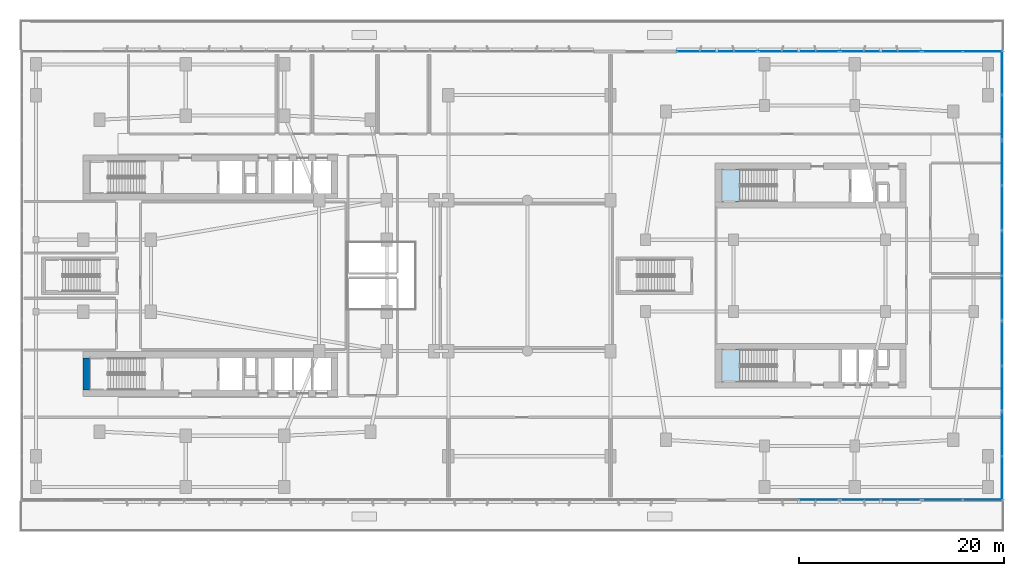
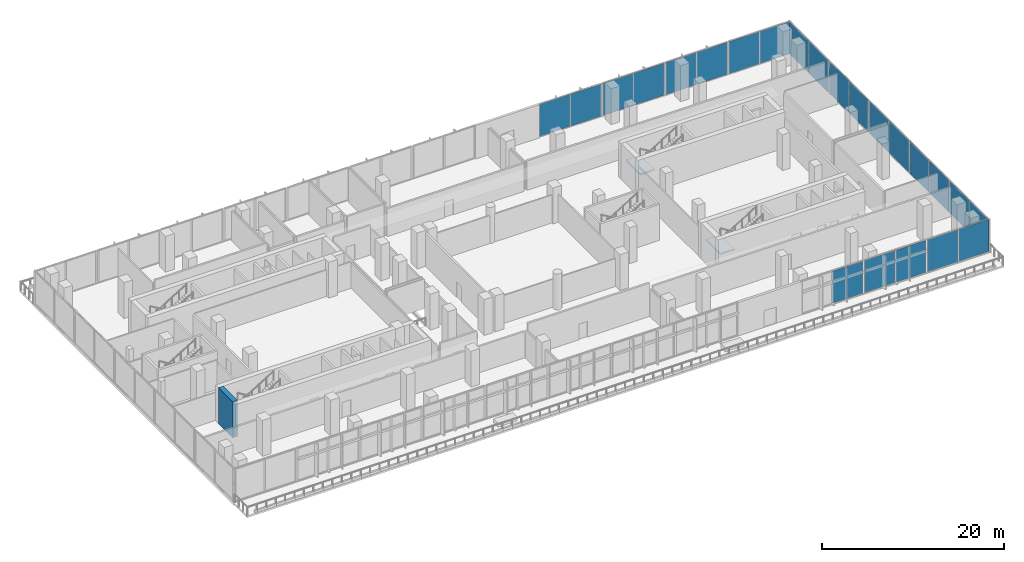
# One storey, part 10 of 30: 23 plates, 2 slabs, 1 wall, 14 elements without a shape of their own.
"""IFC4 building model written with IfcOpenShell, lengths in metres."""

from ifc_helpers import new_model, si_unit, derived_unit, direction, frame, frame_2d, origin, origin_2d, place, context, subcontext, project, spatial, polyline, rectangle, outline, extrude, material, layer, layer_set, type_object, element, aggregate, save


model = new_model("IFC4")

# Units and contexts
model_context = context("Model", 3, precision=1e-05, world=origin(), true_north=direction((0.0, 1.0)))
body_context = subcontext(model_context, "Body", "Model", "MODEL_VIEW")
ifc_project = project(units=[si_unit("LENGTHUNIT", "METRE"), si_unit("AREAUNIT", "SQUARE_METRE"), si_unit("VOLUMEUNIT", "CUBIC_METRE"), si_unit("PLANEANGLEUNIT", "RADIAN"), si_unit("MASSUNIT", "GRAM", prefix="KILO"), derived_unit("THERMALTRANSMITTANCEUNIT", [(si_unit("POWERUNIT", "WATT"), 1), (si_unit("LENGTHUNIT", "METRE"), -2), (si_unit("THERMODYNAMICTEMPERATUREUNIT", "KELVIN"), -1)])], contexts=[model_context])

# Site, building, storey
site_placement = place(None, origin())
site = spatial("IfcSite", under=ifc_project, at=site_placement, CompositionType="ELEMENT")
building_placement = place(site_placement, origin())
building = spatial("IfcBuilding", under=site, at=building_placement, Name="Kivonza Crest Hotel", CompositionType="ELEMENT")
storey_placement = place(building_placement, frame((0.0, 0.0, 10.199951171875)))
storey = spatial("IfcBuildingStorey", under=building, at=storey_placement, Name="L02", CompositionType="ELEMENT", Elevation=10.199951171875)

# Curtain wall, plate
ifc_material_1 = material(Name="Anodised bronze aluminium and low-E double glazing", Category="aluminium")
ifc_layer_1 = layer(ifc_material_1, 0.219970703125)
ifc_layer_set_1 = layer_set([ifc_layer_1], Name="Anodised bronze aluminium and low-E double glazing")
curtain_wall_type = type_object("IfcCurtainWallType", Name="CW-SYS-1", PredefinedType="NOTDEFINED", material=ifc_layer_set_1)
curtain_wall_1_placement = place(storey_placement, origin())
curtain_wall_1 = element("IfcCurtainWall", 1, at=curtain_wall_1_placement, inside=storey, type_object=curtain_wall_type, Name="L02 unitised curtain wall CW-POD-L02-10", PredefinedType="NOTDEFINED")
ifc_material_2 = material(Name="Acoustic triple-laminated low-E glazing", Category="glass")
ifc_layer_2 = layer(ifc_material_2, 0.035888671875)
ifc_layer_set_2 = layer_set([ifc_layer_2], Name="Acoustic triple-laminated low-E glazing")
plate_type = type_object("IfcPlateType", Name="CW-PNL-36", PredefinedType="CURTAIN_PANEL", material=ifc_layer_set_2)
plate_1_placement = place(storey_placement, frame((77.91162109375, 3.159912109375, 0.0751953125), z_axis=(0.0, 0.0, 1.0), x_axis=(1.0, 0.0, 0.0)))
plate_1 = element("IfcPlate", 2, at=plate_1_placement, type_object=plate_type, Name="CW-1 panel 2.1", PredefinedType="CURTAIN_PANEL", context=body_context, shape_type="SweptSolid", body=[
    extrude(rectangle(XDim=3.841064453125, YDim=0.035888671875, at=origin_2d()), origin(), (0.0, 0.0, 1.0), 4.300048828125),
])
aggregate(curtain_wall_1, [plate_1])

# Curtain wall, plates
curtain_wall_2_placement = place(storey_placement, origin())
curtain_wall_2 = element("IfcCurtainWall", 3, at=curtain_wall_2_placement, inside=storey, type_object=curtain_wall_type, Name="L02 unitised curtain wall CW-POD-L02-11", PredefinedType="NOTDEFINED")
plate_2_placement = place(storey_placement, frame((81.982177734375, 3.159912109375, 0.0751953125), z_axis=(0.0, 0.0, 1.0), x_axis=(1.0, 0.0, 0.0)))
plate_2 = element("IfcPlate", 4, at=plate_2_placement, type_object=plate_type, Name="CW-1 panel 1.1", PredefinedType="CURTAIN_PANEL", context=body_context, shape_type="SweptSolid", body=[
    extrude(rectangle(XDim=3.840576171875, YDim=0.035888671875, at=origin_2d()), origin(), (0.0, 0.0, 1.0), 4.300048828125),
])
plate_3_placement = place(storey_placement, frame((85.897705078125, 3.159912109375, 0.0751953125), z_axis=(0.0, 0.0, 1.0), x_axis=(1.0, 0.0, 0.0)))
plate_3 = element("IfcPlate", 5, at=plate_3_placement, type_object=plate_type, Name="CW-1 panel 2.1", PredefinedType="CURTAIN_PANEL", context=body_context, shape_type="SweptSolid", body=[
    extrude(rectangle(XDim=3.840576171875, YDim=0.035888671875, at=origin_2d()), origin(), (0.0, 0.0, 1.0), 4.300048828125),
])
aggregate(curtain_wall_2, [plate_2, plate_3])

curtain_wall_3_placement = place(storey_placement, origin())
curtain_wall_3 = element("IfcCurtainWall", 6, at=curtain_wall_3_placement, inside=storey, type_object=curtain_wall_type, Name="L02 unitised curtain wall CW-POD-L02-12", PredefinedType="NOTDEFINED")
plate_4_placement = place(storey_placement, frame((89.968505859375, 3.159912109375, 0.0751953125), z_axis=(0.0, 0.0, 1.0), x_axis=(1.0, 0.0, 0.0)))
plate_4 = element("IfcPlate", 7, at=plate_4_placement, type_object=plate_type, Name="CW-1 panel 1.1", PredefinedType="CURTAIN_PANEL", context=body_context, shape_type="SweptSolid", body=[
    extrude(rectangle(XDim=3.841064453125, YDim=0.035888671875, at=origin_2d()), origin(), (0.0, 0.0, 1.0), 4.300048828125),
])
plate_5_placement = place(storey_placement, frame((93.884521484375, 3.159912109375, 0.0751953125), z_axis=(0.0, 0.0, 1.0), x_axis=(1.0, 0.0, 0.0)))
plate_5 = element("IfcPlate", 8, at=plate_5_placement, type_object=plate_type, Name="CW-1 panel 2.1", PredefinedType="CURTAIN_PANEL", context=body_context, shape_type="SweptSolid", body=[
    extrude(rectangle(XDim=3.841064453125, YDim=0.035888671875, at=origin_2d()), origin(), (0.0, 0.0, 1.0), 4.300048828125),
])
aggregate(curtain_wall_3, [plate_4, plate_5])

curtain_wall_4_placement = place(storey_placement, origin())
curtain_wall_4 = element("IfcCurtainWall", 9, at=curtain_wall_4_placement, inside=storey, type_object=curtain_wall_type, Name="L02 unitised curtain wall CW-POD-L02-13", PredefinedType="NOTDEFINED")
plate_6_placement = place(storey_placement, frame((95.760009765625, 5.23876953125, 0.0751953125), z_axis=(0.0, 0.0, 1.0), x_axis=(0.0, 1.0, 0.0)))
plate_6 = element("IfcPlate", 10, at=plate_6_placement, type_object=plate_type, Name="CW-1 panel 1.1", PredefinedType="CURTAIN_PANEL", context=body_context, shape_type="SweptSolid", body=[
    extrude(rectangle(XDim=4.24755859375, YDim=0.035888671875, at=origin_2d()), origin(), (0.0, 0.0, 1.0), 4.300048828125),
])
plate_7_placement = place(storey_placement, frame((95.760009765625, 9.561279296875, 0.0751953125), z_axis=(0.0, 0.0, 1.0), x_axis=(0.0, 1.0, 0.0)))
plate_7 = element("IfcPlate", 11, at=plate_7_placement, type_object=plate_type, Name="CW-1 panel 2.1", PredefinedType="CURTAIN_PANEL", context=body_context, shape_type="SweptSolid", body=[
    extrude(rectangle(XDim=4.24755859375, YDim=0.035888671875, at=origin_2d()), origin(), (0.0, 0.0, 1.0), 4.300048828125),
])
aggregate(curtain_wall_4, [plate_6, plate_7])

curtain_wall_5_placement = place(storey_placement, origin())
curtain_wall_5 = element("IfcCurtainWall", 12, at=curtain_wall_5_placement, inside=storey, type_object=curtain_wall_type, Name="L02 unitised curtain wall CW-POD-L02-14", PredefinedType="NOTDEFINED")
plate_8_placement = place(storey_placement, frame((95.760009765625, 14.038818359375, 0.0751953125), z_axis=(0.0, 0.0, 1.0), x_axis=(0.0, 1.0, 0.0)))
plate_8 = element("IfcPlate", 13, at=plate_8_placement, type_object=plate_type, Name="CW-1 panel 1.1", PredefinedType="CURTAIN_PANEL", context=body_context, shape_type="SweptSolid", body=[
    extrude(rectangle(XDim=4.24755859375, YDim=0.035888671875, at=origin_2d()), origin(), (0.0, 0.0, 1.0), 4.300048828125),
])
plate_9_placement = place(storey_placement, frame((95.760009765625, 18.361328125, 0.0751953125), z_axis=(0.0, 0.0, 1.0), x_axis=(0.0, 1.0, 0.0)))
plate_9 = element("IfcPlate", 14, at=plate_9_placement, type_object=plate_type, Name="CW-1 panel 2.1", PredefinedType="CURTAIN_PANEL", context=body_context, shape_type="SweptSolid", body=[
    extrude(rectangle(XDim=4.24755859375, YDim=0.035888671875, at=origin_2d()), origin(), (0.0, 0.0, 1.0), 4.300048828125),
])
aggregate(curtain_wall_5, [plate_8, plate_9])

curtain_wall_6_placement = place(storey_placement, origin())
curtain_wall_6 = element("IfcCurtainWall", 15, at=curtain_wall_6_placement, inside=storey, type_object=curtain_wall_type, Name="L02 unitised curtain wall CW-POD-L02-15", PredefinedType="NOTDEFINED")
plate_10_placement = place(storey_placement, frame((95.760009765625, 22.8388671875, 0.0751953125), z_axis=(0.0, 0.0, 1.0), x_axis=(0.0, 1.0, 0.0)))
plate_10 = element("IfcPlate", 16, at=plate_10_placement, type_object=plate_type, Name="CW-1 panel 1.1", PredefinedType="CURTAIN_PANEL", context=body_context, shape_type="SweptSolid", body=[
    extrude(rectangle(XDim=4.24755859375, YDim=0.035888671875, at=origin_2d()), origin(), (0.0, 0.0, 1.0), 4.300048828125),
])
plate_11_placement = place(storey_placement, frame((95.760009765625, 27.1611328125, 0.0751953125), z_axis=(0.0, 0.0, 1.0), x_axis=(0.0, 1.0, 0.0)))
plate_11 = element("IfcPlate", 17, at=plate_11_placement, type_object=plate_type, Name="CW-1 panel 2.1", PredefinedType="CURTAIN_PANEL", context=body_context, shape_type="SweptSolid", body=[
    extrude(rectangle(XDim=4.24755859375, YDim=0.035888671875, at=origin_2d()), origin(), (0.0, 0.0, 1.0), 4.300048828125),
])
aggregate(curtain_wall_6, [plate_10, plate_11])

curtain_wall_7_placement = place(storey_placement, origin())
curtain_wall_7 = element("IfcCurtainWall", 18, at=curtain_wall_7_placement, inside=storey, type_object=curtain_wall_type, Name="L02 unitised curtain wall CW-POD-L02-16", PredefinedType="NOTDEFINED")
plate_12_placement = place(storey_placement, frame((95.760009765625, 31.638671875, 0.0751953125), z_axis=(0.0, 0.0, 1.0), x_axis=(0.0, 1.0, 0.0)))
plate_12 = element("IfcPlate", 19, at=plate_12_placement, type_object=plate_type, Name="CW-1 panel 1.1", PredefinedType="CURTAIN_PANEL", context=body_context, shape_type="SweptSolid", body=[
    extrude(rectangle(XDim=4.24755859375, YDim=0.035888671875, at=origin_2d()), origin(), (0.0, 0.0, 1.0), 4.300048828125),
])
plate_13_placement = place(storey_placement, frame((95.760009765625, 35.961181640625, 0.0751953125), z_axis=(0.0, 0.0, 1.0), x_axis=(0.0, 1.0, 0.0)))
plate_13 = element("IfcPlate", 20, at=plate_13_placement, type_object=plate_type, Name="CW-1 panel 2.1", PredefinedType="CURTAIN_PANEL", context=body_context, shape_type="SweptSolid", body=[
    extrude(rectangle(XDim=4.24755859375, YDim=0.035888671875, at=origin_2d()), origin(), (0.0, 0.0, 1.0), 4.300048828125),
])
aggregate(curtain_wall_7, [plate_12, plate_13])

curtain_wall_8_placement = place(storey_placement, origin())
curtain_wall_8 = element("IfcCurtainWall", 21, at=curtain_wall_8_placement, inside=storey, type_object=curtain_wall_type, Name="L02 unitised curtain wall CW-POD-L02-17", PredefinedType="NOTDEFINED")
plate_14_placement = place(storey_placement, frame((95.760009765625, 40.438720703125, 0.0751953125), z_axis=(0.0, 0.0, 1.0), x_axis=(0.0, 1.0, 0.0)))
plate_14 = element("IfcPlate", 22, at=plate_14_placement, type_object=plate_type, Name="CW-1 panel 1.1", PredefinedType="CURTAIN_PANEL", context=body_context, shape_type="SweptSolid", body=[
    extrude(rectangle(XDim=4.24755859375, YDim=0.035888671875, at=origin_2d()), origin(), (0.0, 0.0, 1.0), 4.300048828125),
])
plate_15_placement = place(storey_placement, frame((95.760009765625, 44.76123046875, 0.0751953125), z_axis=(0.0, 0.0, 1.0), x_axis=(0.0, 1.0, 0.0)))
plate_15 = element("IfcPlate", 23, at=plate_15_placement, type_object=plate_type, Name="CW-1 panel 2.1", PredefinedType="CURTAIN_PANEL", context=body_context, shape_type="SweptSolid", body=[
    extrude(rectangle(XDim=4.24755859375, YDim=0.035888671875, at=origin_2d()), origin(), (0.0, 0.0, 1.0), 4.300048828125),
])
aggregate(curtain_wall_8, [plate_14, plate_15])

curtain_wall_9_placement = place(storey_placement, origin())
curtain_wall_9 = element("IfcCurtainWall", 24, at=curtain_wall_9_placement, inside=storey, type_object=curtain_wall_type, Name="L02 unitised curtain wall CW-POD-L02-18", PredefinedType="NOTDEFINED")
plate_16_placement = place(storey_placement, frame((93.884521484375, 46.840087890625, 0.0751953125), z_axis=(0.0, 0.0, 1.0), x_axis=(-1.0, 0.0, 0.0)))
plate_16 = element("IfcPlate", 25, at=plate_16_placement, type_object=plate_type, Name="CW-1 panel 1.1", PredefinedType="CURTAIN_PANEL", context=body_context, shape_type="SweptSolid", body=[
    extrude(rectangle(XDim=3.841064453125, YDim=0.035888671875, at=origin_2d()), origin(), (0.0, 0.0, 1.0), 4.300048828125),
])
plate_17_placement = place(storey_placement, frame((89.968505859375, 46.840087890625, 0.0751953125), z_axis=(0.0, 0.0, 1.0), x_axis=(-1.0, 0.0, 0.0)))
plate_17 = element("IfcPlate", 26, at=plate_17_placement, type_object=plate_type, Name="CW-1 panel 2.1", PredefinedType="CURTAIN_PANEL", context=body_context, shape_type="SweptSolid", body=[
    extrude(rectangle(XDim=3.841064453125, YDim=0.035888671875, at=origin_2d()), origin(), (0.0, 0.0, 1.0), 4.300048828125),
])
aggregate(curtain_wall_9, [plate_16, plate_17])

curtain_wall_10_placement = place(storey_placement, origin())
curtain_wall_10 = element("IfcCurtainWall", 27, at=curtain_wall_10_placement, inside=storey, type_object=curtain_wall_type, Name="L02 unitised curtain wall CW-POD-L02-19", PredefinedType="NOTDEFINED")
plate_18_placement = place(storey_placement, frame((85.897705078125, 46.840087890625, 0.0751953125), z_axis=(0.0, 0.0, 1.0), x_axis=(-1.0, 0.0, 0.0)))
plate_18 = element("IfcPlate", 28, at=plate_18_placement, type_object=plate_type, Name="CW-1 panel 1.1", PredefinedType="CURTAIN_PANEL", context=body_context, shape_type="SweptSolid", body=[
    extrude(rectangle(XDim=3.840576171875, YDim=0.035888671875, at=origin_2d()), origin(), (0.0, 0.0, 1.0), 4.300048828125),
])
plate_19_placement = place(storey_placement, frame((81.982177734375, 46.840087890625, 0.0751953125), z_axis=(0.0, 0.0, 1.0), x_axis=(-1.0, 0.0, 0.0)))
plate_19 = element("IfcPlate", 29, at=plate_19_placement, type_object=plate_type, Name="CW-1 panel 2.1", PredefinedType="CURTAIN_PANEL", context=body_context, shape_type="SweptSolid", body=[
    extrude(rectangle(XDim=3.840576171875, YDim=0.035888671875, at=origin_2d()), origin(), (0.0, 0.0, 1.0), 4.300048828125),
])
aggregate(curtain_wall_10, [plate_18, plate_19])

curtain_wall_11_placement = place(storey_placement, origin())
curtain_wall_11 = element("IfcCurtainWall", 30, at=curtain_wall_11_placement, inside=storey, type_object=curtain_wall_type, Name="L02 unitised curtain wall CW-POD-L02-20", PredefinedType="NOTDEFINED")
plate_20_placement = place(storey_placement, frame((77.91162109375, 46.840087890625, 0.0751953125), z_axis=(0.0, 0.0, 1.0), x_axis=(-1.0, 0.0, 0.0)))
plate_20 = element("IfcPlate", 31, at=plate_20_placement, type_object=plate_type, Name="CW-1 panel 1.1", PredefinedType="CURTAIN_PANEL", context=body_context, shape_type="SweptSolid", body=[
    extrude(rectangle(XDim=3.841064453125, YDim=0.035888671875, at=origin_2d()), origin(), (0.0, 0.0, 1.0), 4.300048828125),
])
plate_21_placement = place(storey_placement, frame((73.99560546875, 46.840087890625, 0.0751953125), z_axis=(0.0, 0.0, 1.0), x_axis=(-1.0, 0.0, 0.0)))
plate_21 = element("IfcPlate", 32, at=plate_21_placement, type_object=plate_type, Name="CW-1 panel 2.1", PredefinedType="CURTAIN_PANEL", context=body_context, shape_type="SweptSolid", body=[
    extrude(rectangle(XDim=3.841064453125, YDim=0.035888671875, at=origin_2d()), origin(), (0.0, 0.0, 1.0), 4.300048828125),
])
aggregate(curtain_wall_11, [plate_20, plate_21])

curtain_wall_12_placement = place(storey_placement, origin())
curtain_wall_12 = element("IfcCurtainWall", 33, at=curtain_wall_12_placement, inside=storey, type_object=curtain_wall_type, Name="L02 unitised curtain wall CW-POD-L02-21", PredefinedType="NOTDEFINED")
plate_22_placement = place(storey_placement, frame((69.924560546875, 46.840087890625, 0.0751953125), z_axis=(0.0, 0.0, 1.0), x_axis=(-1.0, 0.0, 0.0)))
plate_22 = element("IfcPlate", 34, at=plate_22_placement, type_object=plate_type, Name="CW-1 panel 1.1", PredefinedType="CURTAIN_PANEL", context=body_context, shape_type="SweptSolid", body=[
    extrude(rectangle(XDim=3.841064453125, YDim=0.035888671875, at=origin_2d()), origin(), (0.0, 0.0, 1.0), 4.300048828125),
])
plate_23_placement = place(storey_placement, frame((66.008544921875, 46.840087890625, 0.0751953125), z_axis=(0.0, 0.0, 1.0), x_axis=(-1.0, 0.0, 0.0)))
plate_23 = element("IfcPlate", 35, at=plate_23_placement, type_object=plate_type, Name="CW-1 panel 2.1", PredefinedType="CURTAIN_PANEL", context=body_context, shape_type="SweptSolid", body=[
    extrude(rectangle(XDim=3.841064453125, YDim=0.035888671875, at=origin_2d()), origin(), (0.0, 0.0, 1.0), 4.300048828125),
])
aggregate(curtain_wall_12, [plate_22, plate_23])

# Stair, slab
ifc_material_3 = material(Name="Concrete C40/50", Category="concrete")
stair_type = type_object("IfcStairType", Name="ST-DL-28R", PredefinedType="HALF_TURN_STAIR", material=ifc_material_3)
stair_1_placement = place(storey_placement, origin())
stair_1 = element("IfcStair", 36, at=stair_1_placement, inside=storey, type_object=stair_type, Name="L02 Protected Exit Stair ST-T2-N", PredefinedType="HALF_TURN_STAIR")
ifc_layer_3 = layer(ifc_material_3, 0.199951171875)
ifc_layer_set_3 = layer_set([ifc_layer_3], Name="Concrete C40/50")
slab_type = type_object("IfcSlabType", Name="SL-LAND-200", PredefinedType="LANDING", material=ifc_layer_set_3)
slab_1_placement = place(storey_placement, frame((0.0, 0.0, 2.199951171875)))
slab_1 = element("IfcSlab", 37, at=slab_1_placement, type_object=slab_type, Name="ST-T2-N landing 1", PredefinedType="LANDING", context=body_context, shape_type="SweptSolid", body=[
    extrude(outline(polyline([(70.199951171875, 35.360107421875), (68.39990234375, 35.360107421875), (68.39990234375, 32.219970703125), (70.199951171875, 32.219970703125), (70.199951171875, 35.360107421875)])), origin(), (0.0, 0.0, 1.0), 0.2001953125),
])
aggregate(stair_1, [slab_1])

stair_2_placement = place(storey_placement, origin())
stair_2 = element("IfcStair", 38, at=stair_2_placement, inside=storey, type_object=stair_type, Name="L02 Protected Exit Stair ST-T2-S", PredefinedType="HALF_TURN_STAIR")
slab_2_placement = place(storey_placement, frame((0.0, 0.0, 2.199951171875)))
slab_2 = element("IfcSlab", 39, at=slab_2_placement, type_object=slab_type, Name="ST-T2-S landing 1", PredefinedType="LANDING", context=body_context, shape_type="SweptSolid", body=[
    extrude(outline(polyline([(70.199951171875, 17.800048828125), (68.39990234375, 17.800048828125), (68.39990234375, 14.659912109375), (70.199951171875, 14.659912109375), (70.199951171875, 17.800048828125)])), origin(), (0.0, 0.0, 1.0), 0.2001953125),
])
aggregate(stair_2, [slab_2])

# Wall
ifc_material_4 = material(Name="Concrete C60/75", Category="concrete")
ifc_layer_4 = layer(ifc_material_4, 0.60009765625)
ifc_layer_set_4 = layer_set([ifc_layer_4], Name="Concrete C60/75")
wall_type = type_object("IfcWallType", Name="WL-CORE-600", PredefinedType="SHEAR", material=ifc_layer_set_4)
wall_placement = place(storey_placement, frame((6.5, 13.840087890625, 0.0), z_axis=(0.0, 0.0, 1.0), x_axis=(0.0, 1.0, 0.0)))
element("IfcWall", 40, at=wall_placement, inside=storey, type_object=wall_type, Name="Core wall T1-S West L02", PredefinedType="SHEAR", context=body_context, shape_type="SweptSolid", body=[
    extrude(rectangle(XDim=3.159912109375, YDim=0.60009765625, at=frame_2d((1.580078125, 0.0))), origin(), (0.0, 0.0, 1.0), 4.800048828125),
])

save(model, "model.ifc")
